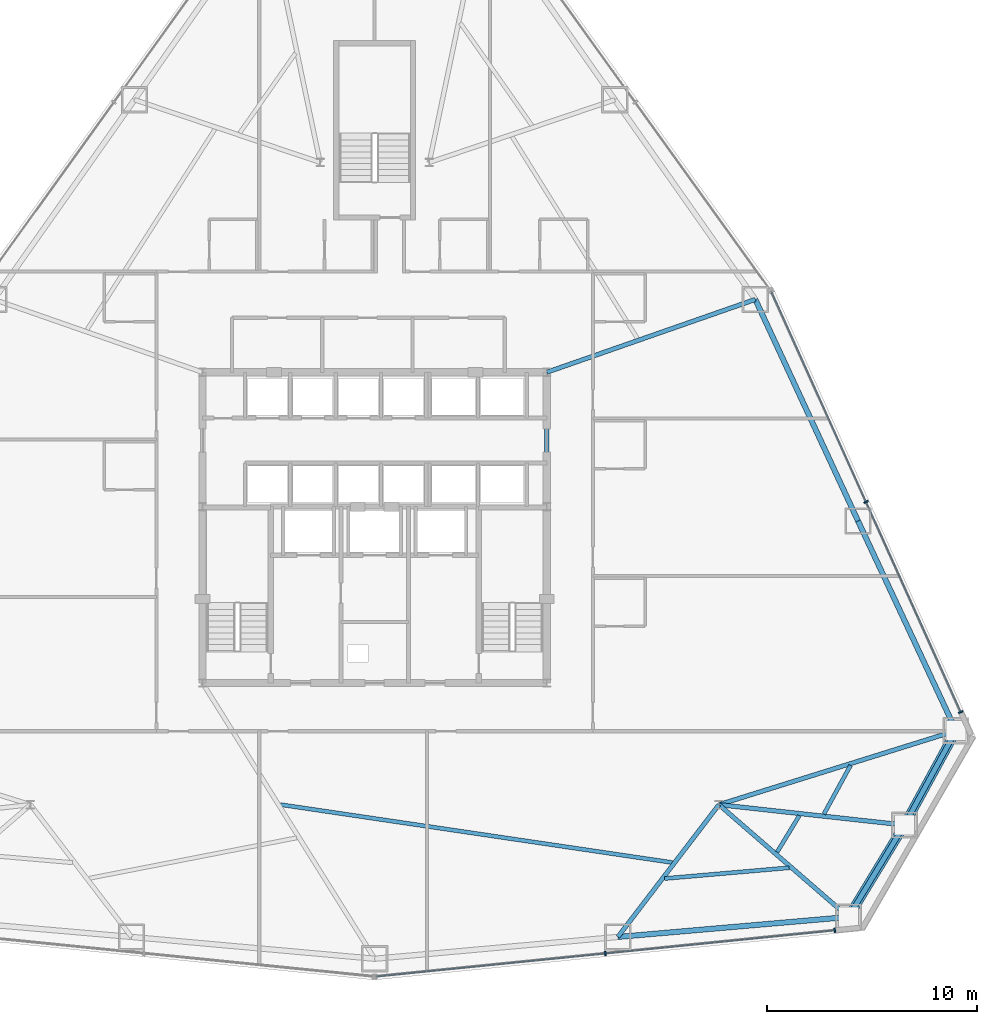
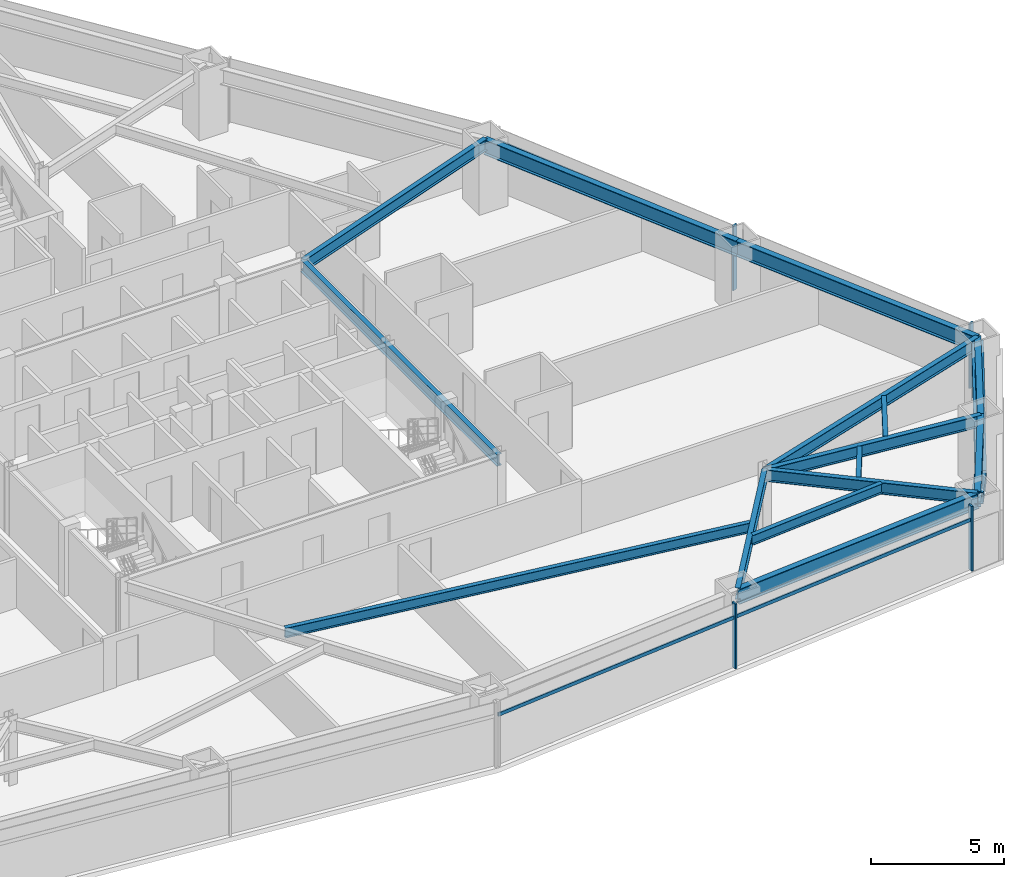
# One storey, part 6 of 12: 15 beams, 8 members, 2 elements without a shape of their own.
"""IFC4 building model written with IfcOpenShell, lengths in metres."""

from ifc_helpers import new_model, si_unit, direction, frame, origin, origin_2d, place, context, subcontext, project, spatial, rectangle, hollow_rectangle, i_section, extrude, source, transform, mapped, material, layer, layer_set, material_profile, profile_set, type_object, type_shapes, element, aggregate, save


model = new_model("IFC4")

# Units and contexts
model_context = context("Model", 3, precision=1e-05, world=origin(), true_north=direction((0.0, 1.0)))
body_context = subcontext(model_context, "Body", "Model", "MODEL_VIEW")
ifc_project = project(units=[si_unit("LENGTHUNIT", "METRE"), si_unit("AREAUNIT", "SQUARE_METRE"), si_unit("VOLUMEUNIT", "CUBIC_METRE"), si_unit("PLANEANGLEUNIT", "RADIAN"), si_unit("MASSUNIT", "GRAM", prefix="KILO")], contexts=[model_context])

# Site, building, storey
site_placement = place(None, origin())
site = spatial("IfcSite", under=ifc_project, at=site_placement, CompositionType="ELEMENT")
building_placement = place(site_placement, origin())
building = spatial("IfcBuilding", under=site, at=building_placement, Name="Varakhsha Concourse Tower", CompositionType="ELEMENT")
storey_placement = place(building_placement, frame((0.0, 0.0, 30.39990234375)))
storey = spatial("IfcBuildingStorey", under=building, at=storey_placement, Name="L07", CompositionType="ELEMENT", Elevation=30.39990234375)

# Beams
ifc_material_1 = material(Name="Structural Steel ASTM A992 Grade 50", Category="steel")
ifc_material_profile_1 = material_profile(ifc_material_1, i_section(OverallWidth=0.19091796875, OverallDepth=0.45703125, WebThickness=0.009033203125, FlangeThickness=0.013916015625, at=origin_2d()), Name="W18X50")
ifc_profile_set_1 = profile_set([ifc_material_profile_1], Name="Structural Steel ASTM A992 Grade 50")
beam_type_1 = type_object("IfcBeamType", Name="BM-JST-W18X50", PredefinedType="JOIST", material=ifc_profile_set_1)
beam_1_placement = place(storey_placement, frame((35.516845703125, 10.602294921875, 2.751708984375), z_axis=(0.989246374726, -0.146258709454, 0.0), x_axis=(0.146258709454, 0.989246374726, 0.0)))
element("IfcBeam", 1, at=beam_1_placement, inside=storey, type_object=beam_type_1, Name="BM-TJST-L07-11", PredefinedType="JOIST", context=body_context, shape_type="SweptSolid", body=[
    extrude(i_section(OverallWidth=0.19091796875, OverallDepth=0.45703125, WebThickness=0.009033203125, FlangeThickness=0.013916015625, at=origin_2d()), origin(), (0.0, 0.0, 1.0), 18.859130859375),
])
beam_2_placement = place(storey_placement, frame((53.813720703125, 7.081298828125, 2.751708984375), z_axis=(0.996273739352, 0.086247529114, 0.0), x_axis=(-0.086247529114, 0.996273739352, 0.0)))
element("IfcBeam", 2, at=beam_2_placement, inside=storey, type_object=beam_type_1, Name="BM-TJST-L07-12", PredefinedType="JOIST", context=body_context, shape_type="SweptSolid", body=[
    extrude(i_section(OverallWidth=0.19091796875, OverallDepth=0.45703125, WebThickness=0.009033203125, FlangeThickness=0.013916015625, at=origin_2d()), origin(), (0.0, 0.0, 1.0), 5.955810546875),
])
beam_3_placement = place(storey_placement, frame((59.17333984375, 8.34033203125, 2.751708984375), z_axis=(0.519585338852, 0.854418559987, 0.0), x_axis=(-0.854418559987, 0.519585338852, 0.0)))
element("IfcBeam", 3, at=beam_3_placement, inside=storey, type_object=beam_type_1, Name="BM-TJST-L07-13", PredefinedType="JOIST", context=body_context, shape_type="SweptSolid", body=[
    extrude(i_section(OverallWidth=0.19091796875, OverallDepth=0.45703125, WebThickness=0.009033203125, FlangeThickness=0.013916015625, at=origin_2d()), origin(), (0.0, 0.0, 1.0), 2.034912109375),
])
beam_4_placement = place(storey_placement, frame((61.40087890625, 10.1533203125, 2.751708984375), z_axis=(0.480213381791, 0.877151701787, 0.0), x_axis=(-0.877151701787, 0.480213381791, 0.0)))
element("IfcBeam", 4, at=beam_4_placement, inside=storey, type_object=beam_type_1, Name="BM-TJST-L07-14", PredefinedType="JOIST", context=body_context, shape_type="SweptSolid", body=[
    extrude(i_section(OverallWidth=0.19091796875, OverallDepth=0.45703125, WebThickness=0.009033203125, FlangeThickness=0.013916015625, at=origin_2d()), origin(), (0.0, 0.0, 1.0), 2.650390625),
])
ifc_material_profile_2 = material_profile(ifc_material_1, i_section(OverallWidth=0.2109375, OverallDepth=0.5390625, WebThickness=0.011962890625, FlangeThickness=0.01904296875, at=origin_2d()), Name="W21X73")
ifc_profile_set_2 = profile_set([ifc_material_profile_2], Name="Structural Steel ASTM A992 Grade 50")
beam_type_2 = type_object("IfcBeamType", Name="BM-RAD-W21X73", PredefinedType="BEAM", material=ifc_profile_set_2)
beam_5_placement = place(storey_placement, frame((48.199951171875, 16.39990234375, 2.710693359375), z_axis=(0.0, 1.0, 0.0), x_axis=(-1.0, 0.0, 0.0)))
element("IfcBeam", 5, at=beam_5_placement, inside=storey, type_object=beam_type_2, Name="BM-TCORE-L07-CE", PredefinedType="BEAM", context=body_context, shape_type="SweptSolid", body=[
    extrude(i_section(OverallWidth=0.2109375, OverallDepth=0.5390625, WebThickness=0.011962890625, FlangeThickness=0.01904296875, at=origin_2d()), origin(), (0.0, 0.0, 1.0), 14.800048828125),
])
beam_6_placement = place(storey_placement, frame((56.39990234375, 10.60009765625, 2.710693359375), z_axis=(-0.607124337511, -0.794606845428, 0.0), x_axis=(0.794606845428, -0.607124337511, 0.0)))
element("IfcBeam", 6, at=beam_6_placement, inside=storey, type_object=beam_type_2, Name="L07 Radial Floor Girder 12", PredefinedType="BEAM", context=body_context, shape_type="SweptSolid", body=[
    extrude(i_section(OverallWidth=0.2109375, OverallDepth=0.5390625, WebThickness=0.011962890625, FlangeThickness=0.01904296875, at=origin_2d()), origin(), (0.0, 0.0, 1.0), 7.92919921875),
])
beam_7_placement = place(storey_placement, frame((56.39990234375, 10.60009765625, 2.710693359375), z_axis=(0.755728528056, -0.65488502188, 0.0), x_axis=(0.65488502188, 0.755728528056, 0.0)))
element("IfcBeam", 7, at=beam_7_placement, inside=storey, type_object=beam_type_2, Name="L07 Radial Floor Girder 13", PredefinedType="BEAM", context=body_context, shape_type="SweptSolid", body=[
    extrude(i_section(OverallWidth=0.2109375, OverallDepth=0.5390625, WebThickness=0.011962890625, FlangeThickness=0.01904296875, at=origin_2d()), origin(), (0.0, 0.0, 1.0), 8.16845703125),
])
beam_8_placement = place(storey_placement, frame((56.39990234375, 10.60009765625, 2.710693359375), z_axis=(0.994025918026, -0.109144281995, 0.0), x_axis=(0.109144281995, 0.994025918026, 0.0)))
element("IfcBeam", 8, at=beam_8_placement, inside=storey, type_object=beam_type_2, Name="L07 Radial Floor Girder 14", PredefinedType="BEAM", context=body_context, shape_type="SweptSolid", body=[
    extrude(i_section(OverallWidth=0.2109375, OverallDepth=0.5390625, WebThickness=0.011962890625, FlangeThickness=0.01904296875, at=origin_2d()), origin(), (0.0, 0.0, 1.0), 8.889404296875),
])
beam_9_placement = place(storey_placement, frame((56.39990234375, 10.60009765625, 2.710693359375), z_axis=(0.954595165952, 0.297906141495, 0.0), x_axis=(-0.297906141495, 0.954595165952, 0.0)))
element("IfcBeam", 9, at=beam_9_placement, inside=storey, type_object=beam_type_2, Name="L07 Radial Floor Girder 15", PredefinedType="BEAM", context=body_context, shape_type="SweptSolid", body=[
    extrude(i_section(OverallWidth=0.2109375, OverallDepth=0.5390625, WebThickness=0.011962890625, FlangeThickness=0.01904296875, at=origin_2d()), origin(), (0.0, 0.0, 1.0), 11.834716796875),
])
beam_10_placement = place(storey_placement, frame((48.199951171875, 31.199951171875, 2.710693359375), z_axis=(0.944069395278, 0.329746837587, 0.0), x_axis=(-0.329746837587, 0.944069395278, 0.0)))
element("IfcBeam", 10, at=beam_10_placement, inside=storey, type_object=beam_type_2, Name="L07 Radial Floor Girder 17", PredefinedType="BEAM", context=body_context, shape_type="SweptSolid", body=[
    extrude(i_section(OverallWidth=0.2109375, OverallDepth=0.5390625, WebThickness=0.011962890625, FlangeThickness=0.01904296875, at=origin_2d()), origin(), (0.0, 0.0, 1.0), 10.523193359375),
])
ifc_material_profile_3 = material_profile(ifc_material_1, i_section(OverallWidth=0.25390625, OverallDepth=0.701904296875, WebThickness=0.014892578125, FlangeThickness=0.028076171875, at=origin_2d()), Name="W27X129")
ifc_profile_set_3 = profile_set([ifc_material_profile_3], Name="Structural Steel ASTM A992 Grade 50")
beam_type_3 = type_object("IfcBeamType", Name="BM-SPAN-W27X129", PredefinedType="SPANDREL", material=ifc_profile_set_3)
beam_11_placement = place(storey_placement, frame((51.5859375, 4.299560546875, 2.629150390625), z_axis=(0.996273577178, 0.086249402411, 0.0), x_axis=(-0.086249402411, 0.996273577178, 0.0)))
element("IfcBeam", 11, at=beam_11_placement, inside=storey, type_object=beam_type_3, Name="BM-SPAN-L07-12", PredefinedType="SPANDREL", context=body_context, shape_type="SweptSolid", body=[
    extrude(i_section(OverallWidth=0.25390625, OverallDepth=0.701904296875, WebThickness=0.014892578125, FlangeThickness=0.028076171875, at=origin_2d()), origin(), (0.0, 0.0, 1.0), 11.028076171875),
])
beam_12_placement = place(storey_placement, frame((62.572998046875, 5.250732421875, 2.629150390625), z_axis=(0.519593292706, 0.854413723072, 0.0), x_axis=(-0.854413723072, 0.519593292706, 0.0)))
element("IfcBeam", 12, at=beam_12_placement, inside=storey, type_object=beam_type_3, Name="BM-SPAN-L07-13", PredefinedType="SPANDREL", context=body_context, shape_type="SweptSolid", body=[
    extrude(i_section(OverallWidth=0.25390625, OverallDepth=0.701904296875, WebThickness=0.014892578125, FlangeThickness=0.028076171875, at=origin_2d()), origin(), (0.0, 0.0, 1.0), 5.125244140625),
])
beam_13_placement = place(storey_placement, frame((65.236083984375, 9.6298828125, 2.629150390625), z_axis=(0.480189853619, 0.877164582323, 0.0), x_axis=(-0.877164582323, 0.480189853619, 0.0)))
element("IfcBeam", 13, at=beam_13_placement, inside=storey, type_object=beam_type_3, Name="BM-SPAN-L07-14", PredefinedType="SPANDREL", context=body_context, shape_type="SweptSolid", body=[
    extrude(i_section(OverallWidth=0.25390625, OverallDepth=0.701904296875, WebThickness=0.014892578125, FlangeThickness=0.028076171875, at=origin_2d()), origin(), (0.0, 0.0, 1.0), 5.12548828125),
])
beam_14_placement = place(storey_placement, frame((67.697265625, 14.125732421875, 2.629150390625), z_axis=(-0.423468305163, 0.90591091975, 0.0), x_axis=(-0.90591091975, -0.423468305163, 0.0)))
element("IfcBeam", 14, at=beam_14_placement, inside=storey, type_object=beam_type_3, Name="BM-SPAN-L07-15", PredefinedType="SPANDREL", context=body_context, shape_type="SweptSolid", body=[
    extrude(i_section(OverallWidth=0.25390625, OverallDepth=0.701904296875, WebThickness=0.014892578125, FlangeThickness=0.028076171875, at=origin_2d()), origin(), (0.0, 0.0, 1.0), 11.0283203125),
])
beam_15_placement = place(storey_placement, frame((63.027099609375, 24.116455078125, 2.629150390625), z_axis=(-0.420598806974, 0.907246737978, 0.0), x_axis=(-0.907246737978, -0.420598806974, 0.0)))
element("IfcBeam", 15, at=beam_15_placement, inside=storey, type_object=beam_type_3, Name="BM-SPAN-L07-16", PredefinedType="SPANDREL", context=body_context, shape_type="SweptSolid", body=[
    extrude(i_section(OverallWidth=0.25390625, OverallDepth=0.701904296875, WebThickness=0.014892578125, FlangeThickness=0.028076171875, at=origin_2d()), origin(), (0.0, 0.0, 1.0), 11.63232421875),
])

# Members
ifc_material_2 = material(Name="Structural Steel ASTM A500 Grade C", Category="steel")
ifc_material_profile_4 = material_profile(ifc_material_2, hollow_rectangle(XDim=0.449951171875, YDim=0.449951171875, WallThickness=0.01904296875, at=origin_2d()), Name="HSS 450x450x19")
ifc_profile_set_4 = profile_set([ifc_material_profile_4], Name="Structural Steel ASTM A500 Grade C")
member_type_1 = type_object("IfcMemberType", Name="MB-TUBE-HSS450", PredefinedType="BRACE", material=ifc_profile_set_4)
shared_shape_1 = source(origin(), body_context, "Body", "SweptSolid", [
    extrude(hollow_rectangle(XDim=0.449951171875, YDim=0.449951171875, WallThickness=0.01904296875, at=origin_2d()), origin(), (0.0, 0.0, 1.0), 5.729248046875),
])
type_shapes(member_type_1, [shared_shape_1])
for number, where, z_axis, x_axis, name in (
    (16, (65.236083984375, 9.6298828125, 0.1201171875), (-0.464832843975, -0.764366219507, 0.446849761819), (0.854413723072, -0.519593292706, 0.0), "L07 Wind-Corner Tube Brace B05"),
    (17, (65.236083984375, 9.6298828125, 0.1201171875), (0.429583958076, 0.78472260569, 0.446842315681), (-0.877164582323, 0.480189853619, 0.0), "L07 Wind-Corner Tube Brace B06"),
):
    element("IfcMember", number, at=place(storey_placement, frame(where, z_axis=z_axis, x_axis=x_axis)), inside=storey, type_object=member_type_1, Name=name, PredefinedType="BRACE", context=body_context, shape_type="MappedRepresentation", body=[
        mapped(shared_shape_1, transform((0.0, 0.0, 0.0), scale=1.0)),
    ])

# Curtain wall, members
ifc_material_3 = material(Name="Anodised Bronze Architectural Aluminium AA 6063-T6", Category="aluminium")
ifc_layer = layer(ifc_material_3, 0.219970703125, Name="CW-SYS-02")
ifc_layer_set = layer_set([ifc_layer], Name="Anodised Bronze Architectural Aluminium AA 6063-T6")
curtain_wall_type = type_object("IfcCurtainWallType", Name="CW-SYS-02", PredefinedType="NOTDEFINED", material=ifc_layer_set)
curtain_wall_1_placement = place(storey_placement, origin())
curtain_wall_1 = element("IfcCurtainWall", 18, at=curtain_wall_1_placement, inside=storey, type_object=curtain_wall_type, Name="L07 Crystal Curtain Wall F6", PredefinedType="NOTDEFINED")
ifc_material_profile_5 = material_profile(ifc_material_3, rectangle(XDim=0.074951171875, YDim=0.219970703125, at=origin_2d()), Name="CWM-220X75")
ifc_profile_set_5 = profile_set([ifc_material_profile_5], Name="Anodised Bronze Architectural Aluminium AA 6063-T6")
member_type_2 = type_object("IfcMemberType", Name="CWM-220X75", PredefinedType="MULLION", material=ifc_profile_set_5)
shared_shape_2 = source(origin(), body_context, "Body", "SweptSolid", [
    extrude(rectangle(XDim=0.074951171875, YDim=0.219970703125, at=origin_2d()), origin(), (0.0, 0.0, 1.0), 2.97998046875),
])
type_shapes(member_type_2, [shared_shape_2])
member_1_placement = place(storey_placement, frame((61.919189453125, 4.61669921875, 0.0), z_axis=(0.0, 0.0, 1.0), x_axis=(-0.994964670572, -0.100226265587, 0.0)))
member_1 = element("IfcMember", 19, at=member_1_placement, type_object=member_type_2, Name="CW-L07-F6 Mullion 00", PredefinedType="MULLION", context=body_context, shape_type="MappedRepresentation", body=[
    mapped(shared_shape_2, transform((0.0, 0.0, 0.0), scale=1.0)),
])
member_2_placement = place(storey_placement, frame((50.991455078125, 3.51611328125, 0.0), z_axis=(0.0, 0.0, 1.0), x_axis=(-0.994964670572, -0.100226265587, 0.0)))
member_2 = element("IfcMember", 20, at=member_2_placement, type_object=member_type_2, Name="CW-L07-F6 Mullion 01", PredefinedType="MULLION", context=body_context, shape_type="MappedRepresentation", body=[
    mapped(shared_shape_2, transform((0.0, 0.0, 0.0), scale=1.0)),
])

curtain_wall_2_placement = place(storey_placement, origin())
curtain_wall_2 = element("IfcCurtainWall", 21, at=curtain_wall_2_placement, inside=storey, type_object=curtain_wall_type, Name="L07 Crystal Curtain Wall F8", PredefinedType="NOTDEFINED")
member_3_placement = place(storey_placement, frame((63.40869140625, 25.023193359375, 0.0), z_axis=(0.0, 0.0, 1.0), x_axis=(0.410683843161, -0.911777813377, 0.0)))
member_3 = element("IfcMember", 22, at=member_3_placement, type_object=member_type_2, Name="CW-L07-F8 Mullion 01", PredefinedType="MULLION", context=body_context, shape_type="MappedRepresentation", body=[
    mapped(shared_shape_2, transform((0.0, 0.0, 0.0), scale=1.0)),
])
member_4_placement = place(storey_placement, frame((67.919189453125, 15.0087890625, 0.0), z_axis=(0.0, 0.0, 1.0), x_axis=(0.410683843161, -0.911777813377, 0.0)))
member_4 = element("IfcMember", 23, at=member_4_placement, type_object=member_type_2, Name="CW-L07-F8 Mullion 02", PredefinedType="MULLION", context=body_context, shape_type="MappedRepresentation", body=[
    mapped(shared_shape_2, transform((0.0, 0.0, 0.0), scale=1.0)),
])
ifc_material_profile_6 = material_profile(ifc_material_3, rectangle(XDim=0.06494140625, YDim=0.159912109375, at=origin_2d()), Name="CWT-160X65")
ifc_profile_set_6 = profile_set([ifc_material_profile_6], Name="Anodised Bronze Architectural Aluminium AA 6063-T6")
member_type_3 = type_object("IfcMemberType", Name="CWT-160X65", PredefinedType="USERDEFINED", material=ifc_profile_set_6)
shared_shape_3 = source(origin(), body_context, "Body", "SweptSolid", [
    extrude(rectangle(XDim=0.06494140625, YDim=0.159912109375, at=origin_2d()), origin(), (0.0, 0.0, 1.0), 21.966552734375),
])
member_5_placement = place(storey_placement, frame((58.89794921875, 35.037353515625, 2.330078125), z_axis=(0.410682136042, -0.911778582297, 0.0), x_axis=(0.911778582297, 0.410682136042, 0.0)))
member_5 = element("IfcMember", 24, at=member_5_placement, type_object=member_type_3, Name="CW-L07-F8 Transom 01", ObjectType="TRANSOM", PredefinedType="USERDEFINED", context=body_context, shape_type="MappedRepresentation", body=[
    mapped(shared_shape_3, transform((0.0, 0.0, 0.0), scale=1.0)),
])
aggregate(curtain_wall_2, [member_3, member_4, member_5])

# Member
shared_shape_4 = source(origin(), body_context, "Body", "SweptSolid", [
    extrude(rectangle(XDim=0.06494140625, YDim=0.159912109375, at=origin_2d()), origin(), (0.0, 0.0, 1.0), 21.966064453125),
])
type_shapes(member_type_3, [shared_shape_3, shared_shape_4])
member_6_placement = place(storey_placement, frame((61.919189453125, 4.61669921875, 2.330078125), z_axis=(-0.99496540449, -0.100218979583, 0.0), x_axis=(0.100218979583, -0.99496540449, 0.0)))
member_6 = element("IfcMember", 25, at=member_6_placement, type_object=member_type_3, Name="CW-L07-F6 Transom 01", ObjectType="TRANSOM", PredefinedType="USERDEFINED", context=body_context, shape_type="MappedRepresentation", body=[
    mapped(shared_shape_4, transform((0.0, 0.0, 0.0), scale=1.0)),
])

aggregate(curtain_wall_1, [member_1, member_2, member_6])

save(model, "model.ifc")
